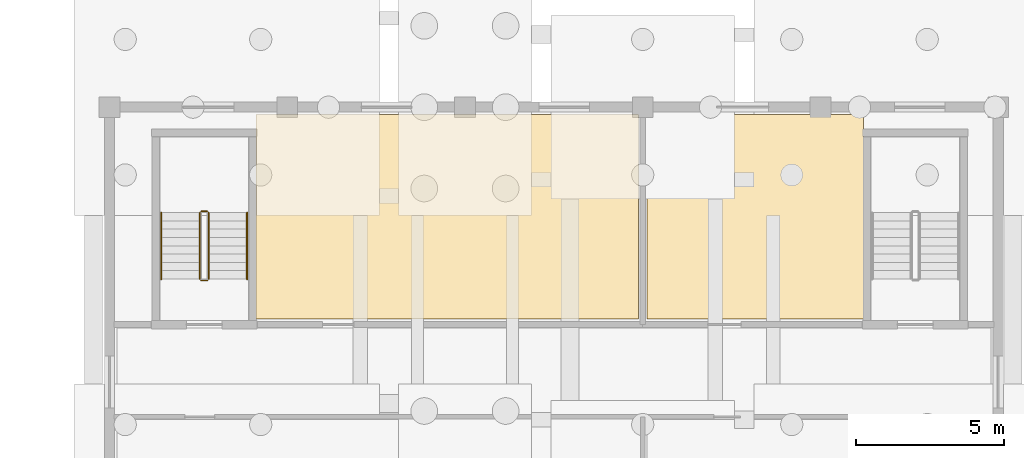
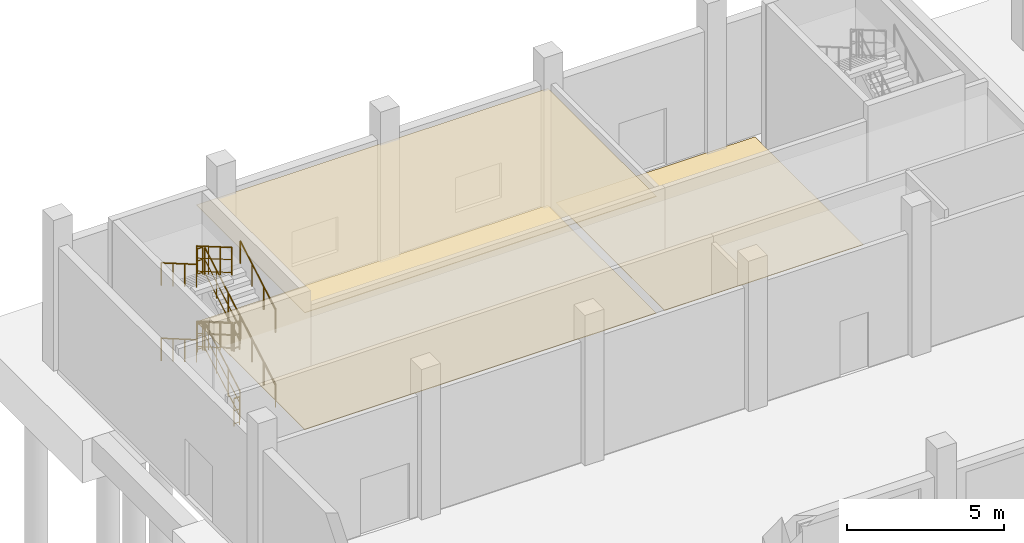
# One storey, part 55 of 60: 12 railings, 3 coverings.
"""IFC4 building model written with IfcOpenShell, lengths in metres."""

from ifc_helpers import new_model, si_unit, direction, frame, origin, origin_2d, place, context, subcontext, project, spatial, polyline, circle, outline, extrude, material, layer, layer_set, type_object, element, save


model = new_model("IFC4")

# Units and contexts
model_context = context("Model", 3, precision=1e-05, world=origin(), true_north=direction((0.0, 1.0)))
body_context = subcontext(model_context, "Body", "Model", "MODEL_VIEW")
ifc_project = project(units=[si_unit("LENGTHUNIT", "METRE"), si_unit("AREAUNIT", "SQUARE_METRE"), si_unit("VOLUMEUNIT", "CUBIC_METRE"), si_unit("PLANEANGLEUNIT", "RADIAN"), si_unit("MASSUNIT", "GRAM", prefix="KILO")], contexts=[model_context])

# Site, building, storey
site_placement = place(None, origin())
site = spatial("IfcSite", under=ifc_project, at=site_placement, CompositionType="ELEMENT")
building_placement = place(site_placement, origin())
building = spatial("IfcBuilding", under=site, at=building_placement, Name="Trellovar Central Fire Station", CompositionType="ELEMENT")
storey_placement = place(building_placement, origin())
storey = spatial("IfcBuildingStorey", under=building, at=storey_placement, Name="L01", CompositionType="ELEMENT", Elevation=0.0)

# Coverings
ifc_material_1 = material(Name="Perforated acoustic mineral fiber ceiling tile", Category="mineral")
ifc_layer_1 = layer(ifc_material_1, 0.02490234375)
ifc_layer_set_1 = layer_set([ifc_layer_1], Name="Perforated acoustic mineral fiber ceiling tile")
covering_type_1 = type_object("IfcCoveringType", Name="COV-CLG1", PredefinedType="CEILING", material=ifc_layer_set_1)
covering_1_placement = place(storey_placement, frame((0.0, 0.0, 4.530029296875)))
element("IfcCovering", 1, at=covering_1_placement, inside=storey, type_object=covering_type_1, Name="Live-Burn Prop and Maze Chamber suspended ceiling", PredefinedType="CEILING", context=body_context, shape_type="SweptSolid", body=[
    extrude(outline(polyline([(123.35009765625, 65.85009765625), (110.449951171875, 65.85009765625), (110.449951171875, 72.75), (123.35009765625, 72.75), (123.35009765625, 65.85009765625)])), origin(), (0.0, 0.0, 1.0), 0.02490234375),
])
ifc_material_2 = material(Name="Heavy-duty slip-resistant quartz epoxy flooring", Category="finish")
ifc_layer_2 = layer(ifc_material_2, 0.014892578125)
ifc_layer_set_2 = layer_set([ifc_layer_2], Name="Heavy-duty slip-resistant quartz epoxy flooring")
covering_type_2 = type_object("IfcCoveringType", Name="COV-FLR1", PredefinedType="FLOORING", material=ifc_layer_set_2)
covering_2_placement = place(storey_placement, origin())
element("IfcCovering", 2, at=covering_2_placement, inside=storey, type_object=covering_type_2, Name="Emergency Generator and Substation Plant Room floor finish", PredefinedType="FLOORING", context=body_context, shape_type="SweptSolid", body=[
    extrude(outline(polyline([(130.949951171875, 65.85009765625), (123.64990234375, 65.85009765625), (123.64990234375, 72.75), (130.949951171875, 72.75), (130.949951171875, 65.85009765625)])), origin(), (0.0, 0.0, 1.0), 0.014892578125),
])
ifc_material_3 = material(Name="Resilient athletic impact rubber flooring", Category="finish")
ifc_layer_3 = layer(ifc_material_3, 0.02001953125)
ifc_layer_set_3 = layer_set([ifc_layer_3], Name="Resilient athletic impact rubber flooring")
covering_type_3 = type_object("IfcCoveringType", Name="COV-FLR3", PredefinedType="FLOORING", material=ifc_layer_set_3)
covering_3_placement = place(storey_placement, origin())
element("IfcCovering", 3, at=covering_3_placement, inside=storey, type_object=covering_type_3, Name="Live-Burn Prop and Maze Chamber floor finish", PredefinedType="FLOORING", context=body_context, shape_type="SweptSolid", body=[
    extrude(outline(polyline([(123.35009765625, 65.85009765625), (110.449951171875, 65.85009765625), (110.449951171875, 72.75), (123.35009765625, 72.75), (123.35009765625, 65.85009765625)])), origin(), (0.0, 0.0, 1.0), 0.02001953125),
])

# Railings
ifc_material_4 = material(Name="Patina bronze wrought metalwork", Category="metal")
ifc_layer_4 = layer(ifc_material_4, 0.048095703125)
ifc_layer_set_4 = layer_set([ifc_layer_4], Name="Patina bronze wrought metalwork")
railing_type_1 = type_object("IfcRailingType", Name="RL-STAIR", PredefinedType="HANDRAIL", material=ifc_layer_set_4)
railing_1_placement = place(storey_placement, frame((110.14990234375, 67.199951171875, 0.16259765625)))
element("IfcRailing", 4, at=railing_1_placement, inside=storey, type_object=railing_type_1, Name="L01 ST-07 stair handrail 1", PredefinedType="HANDRAIL", context=body_context, shape_type="SweptSolid", body=[
    extrude(circle(Radius=0.02392578125, at=origin_2d()), frame((0.0, 0.0, 0.8759765625), z_axis=(0.0, 0.864928887719, 0.501894430323), x_axis=(-1.0, 0.0, 0.0)), (0.0, 0.0, 1.0), 2.58984375),
    extrude(circle(Radius=0.02099609375, at=origin_2d()), origin(), (0.0, 0.0, 1.0), 0.851806640625),
    extrude(circle(Radius=0.02099609375, at=origin_2d()), frame((0.0, 0.74658203125, 0.433349609375)), (0.0, 0.0, 1.0), 0.851806640625),
    extrude(circle(Radius=0.02099609375, at=origin_2d()), frame((0.0, 1.493408203125, 0.866455078125)), (0.0, 0.0, 1.0), 0.851806640625),
    extrude(circle(Radius=0.02099609375, at=origin_2d()), frame((0.0, 2.239990234375, 1.2998046875)), (0.0, 0.0, 1.0), 0.851806640625),
])
railing_2_placement = place(storey_placement, frame((107.25, 69.43994140625, 1.625)))
element("IfcRailing", 5, at=railing_2_placement, inside=storey, type_object=railing_type_1, Name="L01 ST-07 stair handrail 2", PredefinedType="HANDRAIL", context=body_context, shape_type="SweptSolid", body=[
    extrude(circle(Radius=0.02392578125, at=origin_2d()), frame((0.0, 0.0, 0.8759765625), z_axis=(0.0, -0.864887963814, 0.501964949025), x_axis=(1.0, 0.0, 0.0)), (0.0, 0.0, 1.0), 2.58984375),
    extrude(circle(Radius=0.02099609375, at=origin_2d()), origin(), (0.0, 0.0, 1.0), 0.851806640625),
    extrude(circle(Radius=0.02099609375, at=origin_2d()), frame((0.0, -0.74658203125, 0.433349609375)), (0.0, 0.0, 1.0), 0.851806640625),
    extrude(circle(Radius=0.02099609375, at=origin_2d()), frame((0.0, -1.493408203125, 0.86669921875)), (0.0, 0.0, 1.0), 0.851806640625),
    extrude(circle(Radius=0.02099609375, at=origin_2d()), frame((0.0, -2.239990234375, 1.300048828125)), (0.0, 0.0, 1.0), 0.851806640625),
])
railing_3_placement = place(storey_placement, frame((110.14990234375, 67.199951171875, 3.08740234375)))
element("IfcRailing", 6, at=railing_3_placement, inside=storey, type_object=railing_type_1, Name="L01 ST-07 stair handrail 3", PredefinedType="HANDRAIL", context=body_context, shape_type="SweptSolid", body=[
    extrude(circle(Radius=0.02392578125, at=origin_2d()), frame((0.0, 0.0, 0.8759765625), z_axis=(0.0, 0.864887963814, 0.501964949025), x_axis=(-1.0, 0.0, 0.0)), (0.0, 0.0, 1.0), 2.58984375),
    extrude(circle(Radius=0.02099609375, at=origin_2d()), origin(), (0.0, 0.0, 1.0), 0.851806640625),
    extrude(circle(Radius=0.02099609375, at=origin_2d()), frame((0.0, 0.74658203125, 0.433349609375)), (0.0, 0.0, 1.0), 0.851806640625),
    extrude(circle(Radius=0.02099609375, at=origin_2d()), frame((0.0, 1.493408203125, 0.86669921875)), (0.0, 0.0, 1.0), 0.851806640625),
    extrude(circle(Radius=0.02099609375, at=origin_2d()), frame((0.0, 2.239990234375, 1.300048828125)), (0.0, 0.0, 1.0), 0.851806640625),
])
railing_4_placement = place(storey_placement, frame((107.25, 69.43994140625, 4.550048828125)))
element("IfcRailing", 7, at=railing_4_placement, inside=storey, type_object=railing_type_1, Name="L01 ST-07 stair handrail 4", PredefinedType="HANDRAIL", context=body_context, shape_type="SweptSolid", body=[
    extrude(circle(Radius=0.02392578125, at=origin_2d()), frame((0.0, 0.0, 0.8759765625), z_axis=(0.0, -0.864887963814, 0.501964949025), x_axis=(1.0, 0.0, 0.0)), (0.0, 0.0, 1.0), 2.58984375),
    extrude(circle(Radius=0.02099609375, at=origin_2d()), origin(), (0.0, 0.0, 1.0), 0.851806640625),
    extrude(circle(Radius=0.02099609375, at=origin_2d()), frame((0.0, -0.74658203125, 0.433349609375)), (0.0, 0.0, 1.0), 0.851806640625),
    extrude(circle(Radius=0.02099609375, at=origin_2d()), frame((0.0, -1.493408203125, 0.86669921875)), (0.0, 0.0, 1.0), 0.851806640625),
    extrude(circle(Radius=0.02099609375, at=origin_2d()), frame((0.0, -2.239990234375, 1.300048828125)), (0.0, 0.0, 1.0), 0.851806640625),
])
ifc_material_5 = material(Name="Patina bronze wrought metalwork", Category="metal")
ifc_layer_5 = layer(ifc_material_5, 0.050048828125)
ifc_layer_set_5 = layer_set([ifc_layer_5], Name="Patina bronze wrought metalwork")
railing_type_2 = type_object("IfcRailingType", Name="RL-STGUARD", PredefinedType="GUARDRAIL", material=ifc_layer_set_5)
railing_5_placement = place(storey_placement, frame((108.85009765625, 67.199951171875, 0.16259765625)))
element("IfcRailing", 8, at=railing_5_placement, inside=storey, type_object=railing_type_2, Name="L01 ST-07 stair guard 1", PredefinedType="GUARDRAIL", context=body_context, shape_type="SweptSolid", body=[
    extrude(circle(Radius=0.02392578125, at=origin_2d()), frame((0.0, 0.0, 1.076171875), z_axis=(0.0, 0.864928887719, 0.501894430323), x_axis=(-1.0, 0.0, 0.0)), (0.0, 0.0, 1.0), 2.58984375),
    extrude(circle(Radius=0.015625, at=origin_2d()), frame((0.0, 0.0, 0.10009765625), z_axis=(0.0, 0.864928887719, 0.501894430323), x_axis=(-1.0, 0.0, 0.0)), (0.0, 0.0, 1.0), 2.58984375),
    extrude(circle(Radius=0.015625, at=origin_2d()), frame((0.0, 0.0, 0.60498046875), z_axis=(0.0, 0.864928887719, 0.501894430323), x_axis=(-1.0, 0.0, 0.0)), (0.0, 0.0, 1.0), 2.58984375),
    extrude(circle(Radius=0.02099609375, at=origin_2d()), origin(), (0.0, 0.0, 1.0), 1.052001953125),
    extrude(circle(Radius=0.02099609375, at=origin_2d()), frame((0.0, 0.74658203125, 0.433349609375)), (0.0, 0.0, 1.0), 1.052001953125),
    extrude(circle(Radius=0.02099609375, at=origin_2d()), frame((0.0, 1.493408203125, 0.866455078125)), (0.0, 0.0, 1.0), 1.052001953125),
    extrude(circle(Radius=0.02099609375, at=origin_2d()), frame((0.0, 2.239990234375, 1.2998046875)), (0.0, 0.0, 1.0), 1.052001953125),
])
railing_6_placement = place(storey_placement, frame((108.800048828125, 69.489990234375, 1.46240234375)))
element("IfcRailing", 9, at=railing_6_placement, inside=storey, type_object=railing_type_2, Name="L01 ST-07 stair guard 2", PredefinedType="GUARDRAIL", context=body_context, shape_type="SweptSolid", body=[
    extrude(circle(Radius=0.02392578125, at=origin_2d()), frame((0.0, 0.0, 1.076171875), z_axis=(-1.0, 0.0, 0.0), x_axis=(0.0, -1.0, 0.0)), (0.0, 0.0, 1.0), 0.199951171875),
    extrude(circle(Radius=0.015625, at=origin_2d()), frame((0.0, 0.0, 0.10009765625), z_axis=(-1.0, 0.0, 0.0), x_axis=(0.0, -1.0, 0.0)), (0.0, 0.0, 1.0), 0.199951171875),
    extrude(circle(Radius=0.015625, at=origin_2d()), frame((0.0, 0.0, 0.60498046875), z_axis=(-1.0, 0.0, 0.0), x_axis=(0.0, -1.0, 0.0)), (0.0, 0.0, 1.0), 0.199951171875),
    extrude(circle(Radius=0.02099609375, at=origin_2d()), origin(), (0.0, 0.0, 1.0), 1.052001953125),
    extrude(circle(Radius=0.02099609375, at=origin_2d()), frame((-0.199951171875, 0.0, 0.0)), (0.0, 0.0, 1.0), 1.052001953125),
])
railing_7_placement = place(storey_placement, frame((108.550048828125, 69.43994140625, 1.625)))
element("IfcRailing", 10, at=railing_7_placement, inside=storey, type_object=railing_type_2, Name="L01 ST-07 stair guard 3", PredefinedType="GUARDRAIL", context=body_context, shape_type="SweptSolid", body=[
    extrude(circle(Radius=0.02392578125, at=origin_2d()), frame((0.0, 0.0, 1.076171875), z_axis=(0.0, -0.864887963814, 0.501964949025), x_axis=(1.0, 0.0, 0.0)), (0.0, 0.0, 1.0), 2.58984375),
    extrude(circle(Radius=0.015625, at=origin_2d()), frame((0.0, 0.0, 0.10009765625), z_axis=(0.0, -0.864887963814, 0.501964949025), x_axis=(1.0, 0.0, 0.0)), (0.0, 0.0, 1.0), 2.58984375),
    extrude(circle(Radius=0.015625, at=origin_2d()), frame((0.0, 0.0, 0.60498046875), z_axis=(0.0, -0.864887963814, 0.501964949025), x_axis=(1.0, 0.0, 0.0)), (0.0, 0.0, 1.0), 2.58984375),
    extrude(circle(Radius=0.02099609375, at=origin_2d()), origin(), (0.0, 0.0, 1.0), 1.052001953125),
    extrude(circle(Radius=0.02099609375, at=origin_2d()), frame((0.0, -0.74658203125, 0.433349609375)), (0.0, 0.0, 1.0), 1.052001953125),
    extrude(circle(Radius=0.02099609375, at=origin_2d()), frame((0.0, -1.493408203125, 0.86669921875)), (0.0, 0.0, 1.0), 1.052001953125),
    extrude(circle(Radius=0.02099609375, at=origin_2d()), frame((0.0, -2.239990234375, 1.300048828125)), (0.0, 0.0, 1.0), 1.052001953125),
])
railing_8_placement = place(storey_placement, frame((108.800048828125, 67.14990234375, 2.925048828125)))
element("IfcRailing", 11, at=railing_8_placement, inside=storey, type_object=railing_type_2, Name="L01 ST-07 stair guard 4", PredefinedType="GUARDRAIL", context=body_context, shape_type="SweptSolid", body=[
    extrude(circle(Radius=0.02392578125, at=origin_2d()), frame((0.0, 0.0, 1.076171875), z_axis=(-1.0, 0.0, 0.0), x_axis=(0.0, -1.0, 0.0)), (0.0, 0.0, 1.0), 0.199951171875),
    extrude(circle(Radius=0.015625, at=origin_2d()), frame((0.0, 0.0, 0.10009765625), z_axis=(-1.0, 0.0, 0.0), x_axis=(0.0, -1.0, 0.0)), (0.0, 0.0, 1.0), 0.199951171875),
    extrude(circle(Radius=0.015625, at=origin_2d()), frame((0.0, 0.0, 0.60498046875), z_axis=(-1.0, 0.0, 0.0), x_axis=(0.0, -1.0, 0.0)), (0.0, 0.0, 1.0), 0.199951171875),
    extrude(circle(Radius=0.02099609375, at=origin_2d()), origin(), (0.0, 0.0, 1.0), 1.052001953125),
    extrude(circle(Radius=0.02099609375, at=origin_2d()), frame((-0.199951171875, 0.0, 0.0)), (0.0, 0.0, 1.0), 1.052001953125),
])
railing_9_placement = place(storey_placement, frame((108.85009765625, 67.199951171875, 3.08740234375)))
element("IfcRailing", 12, at=railing_9_placement, inside=storey, type_object=railing_type_2, Name="L01 ST-07 stair guard 5", PredefinedType="GUARDRAIL", context=body_context, shape_type="SweptSolid", body=[
    extrude(circle(Radius=0.02392578125, at=origin_2d()), frame((0.0, 0.0, 1.076171875), z_axis=(0.0, 0.864887963814, 0.501964949025), x_axis=(-1.0, 0.0, 0.0)), (0.0, 0.0, 1.0), 2.58984375),
    extrude(circle(Radius=0.015625, at=origin_2d()), frame((0.0, 0.0, 0.10009765625), z_axis=(0.0, 0.864887963814, 0.501964949025), x_axis=(-1.0, 0.0, 0.0)), (0.0, 0.0, 1.0), 2.58984375),
    extrude(circle(Radius=0.015625, at=origin_2d()), frame((0.0, 0.0, 0.60498046875), z_axis=(0.0, 0.864887963814, 0.501964949025), x_axis=(-1.0, 0.0, 0.0)), (0.0, 0.0, 1.0), 2.58984375),
    extrude(circle(Radius=0.02099609375, at=origin_2d()), origin(), (0.0, 0.0, 1.0), 1.052001953125),
    extrude(circle(Radius=0.02099609375, at=origin_2d()), frame((0.0, 0.74658203125, 0.433349609375)), (0.0, 0.0, 1.0), 1.052001953125),
    extrude(circle(Radius=0.02099609375, at=origin_2d()), frame((0.0, 1.493408203125, 0.86669921875)), (0.0, 0.0, 1.0), 1.052001953125),
    extrude(circle(Radius=0.02099609375, at=origin_2d()), frame((0.0, 2.239990234375, 1.300048828125)), (0.0, 0.0, 1.0), 1.052001953125),
])
railing_10_placement = place(storey_placement, frame((108.800048828125, 69.489990234375, 4.387451171875)))
element("IfcRailing", 13, at=railing_10_placement, inside=storey, type_object=railing_type_2, Name="L01 ST-07 stair guard 6", PredefinedType="GUARDRAIL", context=body_context, shape_type="SweptSolid", body=[
    extrude(circle(Radius=0.02392578125, at=origin_2d()), frame((0.0, 0.0, 1.076171875), z_axis=(-1.0, 0.0, 0.0), x_axis=(0.0, -1.0, 0.0)), (0.0, 0.0, 1.0), 0.199951171875),
    extrude(circle(Radius=0.015625, at=origin_2d()), frame((0.0, 0.0, 0.10009765625), z_axis=(-1.0, 0.0, 0.0), x_axis=(0.0, -1.0, 0.0)), (0.0, 0.0, 1.0), 0.199951171875),
    extrude(circle(Radius=0.015625, at=origin_2d()), frame((0.0, 0.0, 0.60498046875), z_axis=(-1.0, 0.0, 0.0), x_axis=(0.0, -1.0, 0.0)), (0.0, 0.0, 1.0), 0.199951171875),
    extrude(circle(Radius=0.02099609375, at=origin_2d()), origin(), (0.0, 0.0, 1.0), 1.052001953125),
    extrude(circle(Radius=0.02099609375, at=origin_2d()), frame((-0.199951171875, 0.0, 0.0)), (0.0, 0.0, 1.0), 1.052001953125),
])
railing_11_placement = place(storey_placement, frame((108.550048828125, 69.43994140625, 4.550048828125)))
element("IfcRailing", 14, at=railing_11_placement, inside=storey, type_object=railing_type_2, Name="L01 ST-07 stair guard 7", PredefinedType="GUARDRAIL", context=body_context, shape_type="SweptSolid", body=[
    extrude(circle(Radius=0.02392578125, at=origin_2d()), frame((0.0, 0.0, 1.076171875), z_axis=(0.0, -0.864887963814, 0.501964949025), x_axis=(1.0, 0.0, 0.0)), (0.0, 0.0, 1.0), 2.58984375),
    extrude(circle(Radius=0.015625, at=origin_2d()), frame((0.0, 0.0, 0.10009765625), z_axis=(0.0, -0.864887963814, 0.501964949025), x_axis=(1.0, 0.0, 0.0)), (0.0, 0.0, 1.0), 2.58984375),
    extrude(circle(Radius=0.015625, at=origin_2d()), frame((0.0, 0.0, 0.60498046875), z_axis=(0.0, -0.864887963814, 0.501964949025), x_axis=(1.0, 0.0, 0.0)), (0.0, 0.0, 1.0), 2.58984375),
    extrude(circle(Radius=0.02099609375, at=origin_2d()), origin(), (0.0, 0.0, 1.0), 1.052001953125),
    extrude(circle(Radius=0.02099609375, at=origin_2d()), frame((0.0, -0.74658203125, 0.433349609375)), (0.0, 0.0, 1.0), 1.052001953125),
    extrude(circle(Radius=0.02099609375, at=origin_2d()), frame((0.0, -1.493408203125, 0.86669921875)), (0.0, 0.0, 1.0), 1.052001953125),
    extrude(circle(Radius=0.02099609375, at=origin_2d()), frame((0.0, -2.239990234375, 1.300048828125)), (0.0, 0.0, 1.0), 1.052001953125),
])
railing_12_placement = place(storey_placement, frame((108.800048828125, 67.14990234375, 0.0)))
element("IfcRailing", 15, at=railing_12_placement, inside=storey, type_object=railing_type_2, Name="L01 ST-07 stair guard 8", PredefinedType="GUARDRAIL", context=body_context, shape_type="SweptSolid", body=[
    extrude(circle(Radius=0.02392578125, at=origin_2d()), frame((0.0, 0.0, 1.076171875), z_axis=(-1.0, 0.0, 0.0), x_axis=(0.0, -1.0, 0.0)), (0.0, 0.0, 1.0), 0.199951171875),
    extrude(circle(Radius=0.015625, at=origin_2d()), frame((0.0, 0.0, 0.10009765625), z_axis=(-1.0, 0.0, 0.0), x_axis=(0.0, -1.0, 0.0)), (0.0, 0.0, 1.0), 0.199951171875),
    extrude(circle(Radius=0.015625, at=origin_2d()), frame((0.0, 0.0, 0.60498046875), z_axis=(-1.0, 0.0, 0.0), x_axis=(0.0, -1.0, 0.0)), (0.0, 0.0, 1.0), 0.199951171875),
    extrude(circle(Radius=0.02099609375, at=origin_2d()), origin(), (0.0, 0.0, 1.0), 1.052001953125),
    extrude(circle(Radius=0.02099609375, at=origin_2d()), frame((-0.199951171875, 0.0, 0.0)), (0.0, 0.0, 1.0), 1.052001953125),
])

save(model, "model.ifc")
